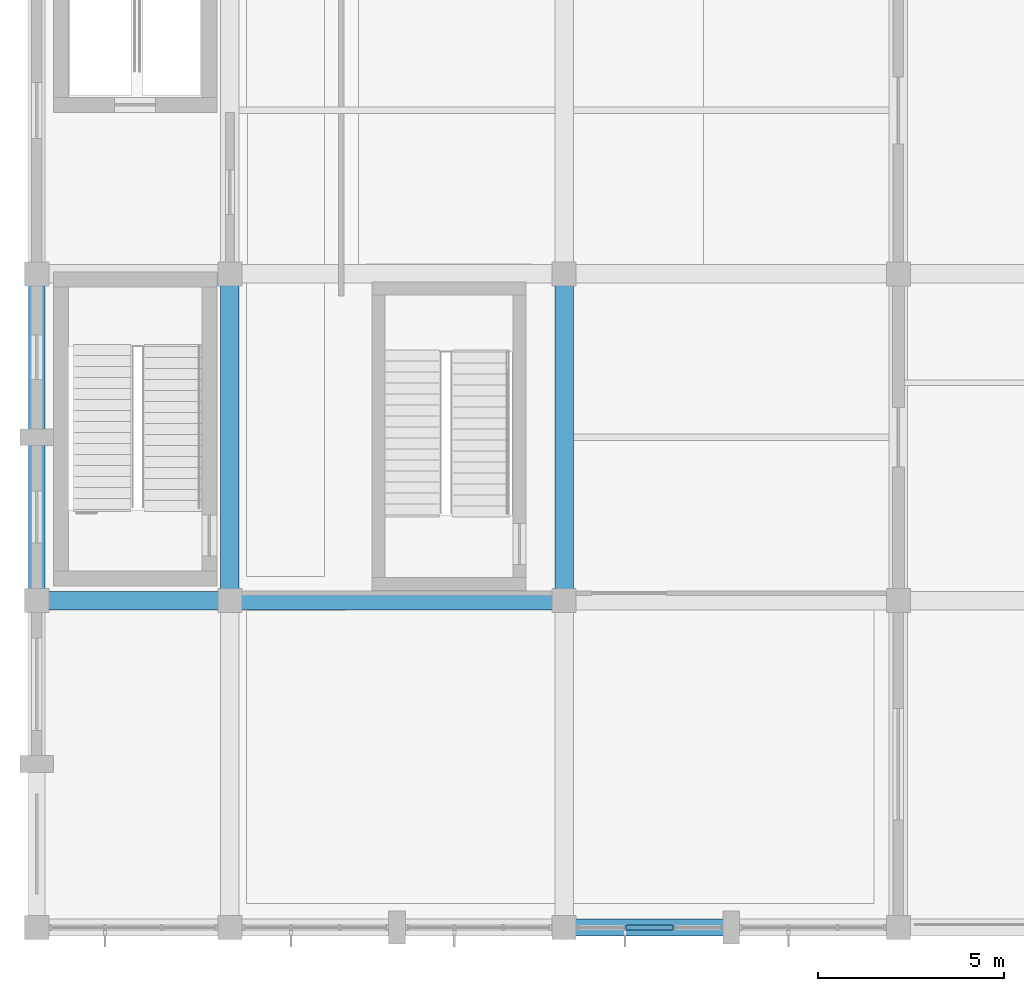
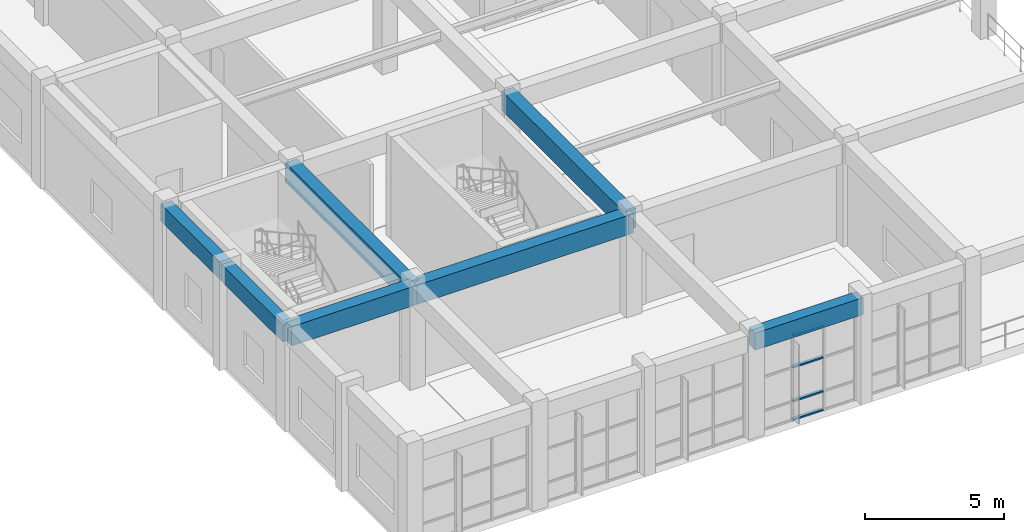
# One storey, part 10 of 104: 7 beams, 4 members, 1 element without a shape of its own.
"""IFC4 building model written with IfcOpenShell, lengths in metres."""

from ifc_helpers import new_model, si_unit, direction, frame, origin, origin_2d, place, context, subcontext, project, spatial, rectangle, hollow_rectangle, extrude, material, layer, layer_set, material_profile, profile_set, type_object, element, aggregate, save


model = new_model("IFC4")

# Units and contexts
model_context = context("Model", 3, precision=1e-05, world=origin(), true_north=direction((0.0, 1.0)))
body_context = subcontext(model_context, "Body", "Model", "MODEL_VIEW")
ifc_project = project(units=[si_unit("LENGTHUNIT", "METRE"), si_unit("AREAUNIT", "SQUARE_METRE"), si_unit("VOLUMEUNIT", "CUBIC_METRE"), si_unit("PLANEANGLEUNIT", "RADIAN"), si_unit("MASSUNIT", "GRAM", prefix="KILO")], contexts=[model_context])

# Site, building, storey
site_placement = place(None, origin())
site = spatial("IfcSite", under=ifc_project, at=site_placement, CompositionType="ELEMENT")
building_placement = place(site_placement, origin())
building = spatial("IfcBuilding", under=site, at=building_placement, Name="Ventoquebrada Cableway Terminal", CompositionType="ELEMENT")
storey_placement = place(building_placement, frame((0.0, 0.0, 4.800048828125)))
storey = spatial("IfcBuildingStorey", under=building, at=storey_placement, Name="L01", CompositionType="ELEMENT", Elevation=4.800048828125)

# Beams
ifc_material_1 = material(Name="Concrete C40/50", Category="concrete")
ifc_material_profile_1 = material_profile(ifc_material_1, rectangle(XDim=0.5, YDim=0.85009765625, at=origin_2d()), Name="RC-BM-500X850")
ifc_profile_set_1 = profile_set([ifc_material_profile_1], Name="Concrete C40/50")
beam_type_1 = type_object("IfcBeamType", Name="BM-RC04", PredefinedType="BEAM", material=ifc_profile_set_1)
beam_1_placement = place(storey_placement, frame((3.0, 11.800048828125, 4.0400390625), z_axis=(1.0, 0.0, 0.0), x_axis=(0.0, 1.0, 0.0)))
element("IfcBeam", 1, at=beam_1_placement, inside=storey, type_object=beam_type_1, Name="Primary frame girder FBM-0152", PredefinedType="BEAM", context=body_context, shape_type="SweptSolid", body=[
    extrude(rectangle(XDim=0.5, YDim=0.85009765625, at=origin_2d()), origin(), (0.0, 0.0, 1.0), 5.199951171875),
])
beam_2_placement = place(storey_placement, frame((8.199951171875, 11.800048828125, 4.0400390625), z_axis=(1.0, 0.0, 0.0), x_axis=(0.0, 1.0, 0.0)))
element("IfcBeam", 2, at=beam_2_placement, inside=storey, type_object=beam_type_1, Name="Primary frame girder FBM-0153", PredefinedType="BEAM", context=body_context, shape_type="SweptSolid", body=[
    extrude(rectangle(XDim=0.5, YDim=0.85009765625, at=origin_2d()), origin(), (0.0, 0.0, 1.0), 9.0),
])
for number, where, z_axis, x_axis, name in (
    (3, (8.199951171875, 11.800048828125, 4.0400390625), (0.0, 1.0, 0.0), (-1.0, 0.0, 0.0), "Primary frame girder FBM-0181"),
    (4, (17.199951171875, 11.800048828125, 4.0400390625), (0.0, 1.0, 0.0), (-1.0, 0.0, 0.0), "Primary frame girder FBM-0186"),
):
    element("IfcBeam", number, at=place(storey_placement, frame(where, z_axis=z_axis, x_axis=x_axis)), inside=storey, type_object=beam_type_1, Name=name, PredefinedType="BEAM", context=body_context, shape_type="SweptSolid", body=[
        extrude(rectangle(XDim=0.5, YDim=0.85009765625, at=origin_2d()), origin(), (0.0, 0.0, 1.0), 8.800048828125),
    ])

# Curtain wall, members
ifc_material_2 = material(Name="Anodized thermally-broken aluminium", Category="aluminium")
ifc_layer = layer(ifc_material_2, 0.159912109375)
ifc_layer_set = layer_set([ifc_layer], Name="Anodized thermally-broken aluminium")
curtain_wall_type = type_object("IfcCurtainWallType", Name="CW-T06", PredefinedType="USERDEFINED", material=ifc_layer_set)
curtain_wall_placement = place(storey_placement, origin())
curtain_wall = element("IfcCurtainWall", 5, at=curtain_wall_placement, inside=storey, type_object=curtain_wall_type, Name="Unitised glazed curtain wall CW-012", ObjectType="UNITISED CURTAIN WALL", PredefinedType="USERDEFINED")
ifc_material_profile_2 = material_profile(ifc_material_2, hollow_rectangle(XDim=0.06494140625, YDim=0.139892578125, WallThickness=0.00390625, at=origin_2d()), Name="CW-TRN-65X140")
ifc_profile_set_2 = profile_set([ifc_material_profile_2], Name="Anodized thermally-broken aluminium")
member_type = type_object("IfcMemberType", Name="CWT-01", PredefinedType="USERDEFINED", material=ifc_profile_set_2)
member_1_placement = place(storey_placement, frame((18.87109375, 3.0, 0.034912109375), z_axis=(1.0, 0.0, 0.0), x_axis=(0.0, 0.0, 1.0)))
member_1 = element("IfcMember", 6, at=member_1_placement, type_object=member_type, Name="Curtain wall transom FTR-0140", ObjectType="TRANSOM", PredefinedType="USERDEFINED", context=body_context, shape_type="SweptSolid", body=[
    extrude(hollow_rectangle(XDim=0.06494140625, YDim=0.139892578125, WallThickness=0.00390625, at=origin_2d()), origin(), (0.0, 0.0, 1.0), 1.2578125),
])
member_2_placement = place(storey_placement, frame((18.87109375, 3.0, 0.849853515625), z_axis=(1.0, 0.0, 0.0), x_axis=(0.0, 0.0, 1.0)))
member_2 = element("IfcMember", 7, at=member_2_placement, type_object=member_type, Name="Curtain wall transom FTR-0141", ObjectType="TRANSOM", PredefinedType="USERDEFINED", context=body_context, shape_type="SweptSolid", body=[
    extrude(hollow_rectangle(XDim=0.06494140625, YDim=0.139892578125, WallThickness=0.00390625, at=origin_2d()), origin(), (0.0, 0.0, 1.0), 1.2578125),
])
member_3_placement = place(storey_placement, frame((18.87109375, 3.0, 2.33984375), z_axis=(1.0, 0.0, 0.0), x_axis=(0.0, 0.0, 1.0)))
member_3 = element("IfcMember", 8, at=member_3_placement, type_object=member_type, Name="Curtain wall transom FTR-0142", ObjectType="TRANSOM", PredefinedType="USERDEFINED", context=body_context, shape_type="SweptSolid", body=[
    extrude(hollow_rectangle(XDim=0.06494140625, YDim=0.139892578125, WallThickness=0.00390625, at=origin_2d()), origin(), (0.0, 0.0, 1.0), 1.2578125),
])
member_4_placement = place(storey_placement, frame((18.87109375, 3.0, 3.739990234375), z_axis=(1.0, 0.0, 0.0), x_axis=(0.0, 0.0, 1.0)))
member_4 = element("IfcMember", 9, at=member_4_placement, type_object=member_type, Name="Curtain wall transom FTR-0143", ObjectType="TRANSOM", PredefinedType="USERDEFINED", context=body_context, shape_type="SweptSolid", body=[
    extrude(hollow_rectangle(XDim=0.06494140625, YDim=0.139892578125, WallThickness=0.00390625, at=origin_2d()), origin(), (0.0, 0.0, 1.0), 1.2578125),
])
aggregate(curtain_wall, [member_1, member_2, member_3, member_4])

# Beams
ifc_material_profile_3 = material_profile(ifc_material_1, rectangle(XDim=0.449951171875, YDim=0.75, at=origin_2d()), Name="RC-BM-450X750")
ifc_profile_set_3 = profile_set([ifc_material_profile_3], Name="Concrete C40/50")
beam_type_2 = type_object("IfcBeamType", Name="SP-RC02", PredefinedType="SPANDREL", material=ifc_profile_set_3)
beam_3_placement = place(storey_placement, frame((17.199951171875, 3.0, 4.155029296875), z_axis=(1.0, 0.0, 0.0), x_axis=(0.0, 1.0, 0.0)))
element("IfcBeam", 10, at=beam_3_placement, inside=storey, type_object=beam_type_2, Name="Perimeter spandrel beam FBM-0148", PredefinedType="SPANDREL", context=body_context, shape_type="SweptSolid", body=[
    extrude(rectangle(XDim=0.449951171875, YDim=0.75, at=origin_2d()), origin(), (0.0, 0.0, 1.0), 4.5),
])
beam_4_placement = place(storey_placement, frame((3.0, 11.800048828125, 4.08984375), z_axis=(0.0, 1.0, 0.0), x_axis=(-1.0, 0.0, 0.0)))
element("IfcBeam", 11, at=beam_4_placement, inside=storey, type_object=beam_type_2, Name="Perimeter spandrel beam FBM-0174", PredefinedType="SPANDREL", context=body_context, shape_type="SweptSolid", body=[
    extrude(rectangle(XDim=0.449951171875, YDim=0.75, at=origin_2d()), origin(), (0.0, 0.0, 1.0), 4.39990234375),
])
beam_5_placement = place(storey_placement, frame((3.0, 16.199951171875, 4.08984375), z_axis=(0.0, 1.0, 0.0), x_axis=(-1.0, 0.0, 0.0)))
element("IfcBeam", 12, at=beam_5_placement, inside=storey, type_object=beam_type_2, Name="Perimeter spandrel beam FBM-0175", PredefinedType="SPANDREL", context=body_context, shape_type="SweptSolid", body=[
    extrude(rectangle(XDim=0.449951171875, YDim=0.75, at=origin_2d()), origin(), (0.0, 0.0, 1.0), 4.400146484375),
])

save(model, "model.ifc")
